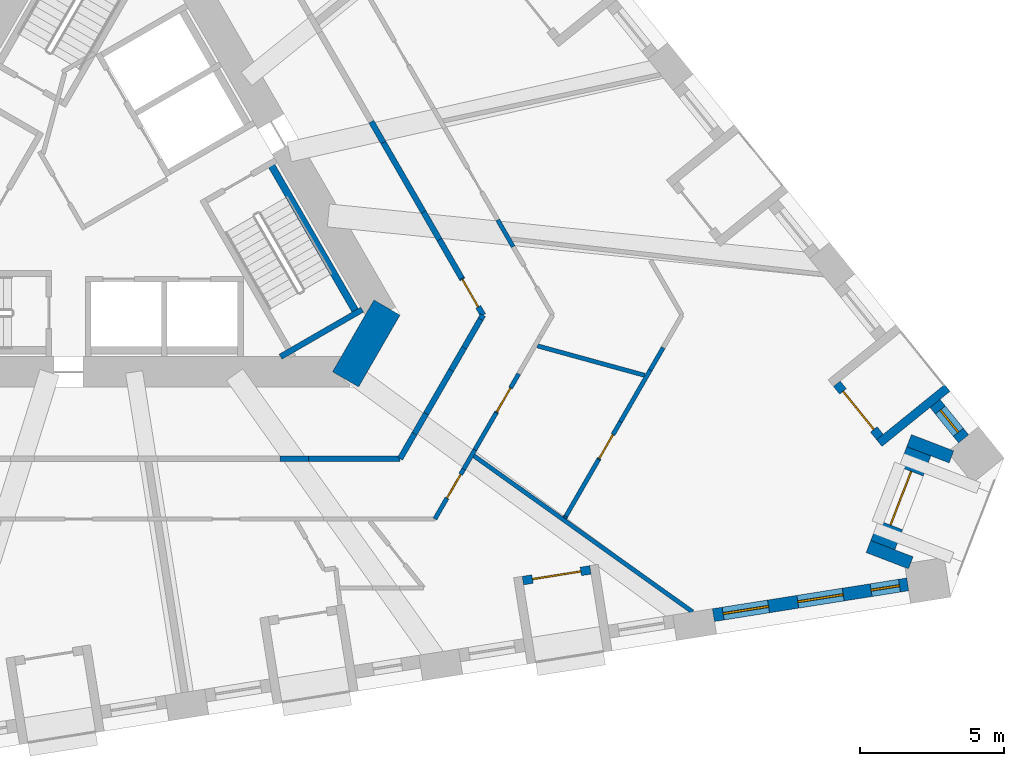
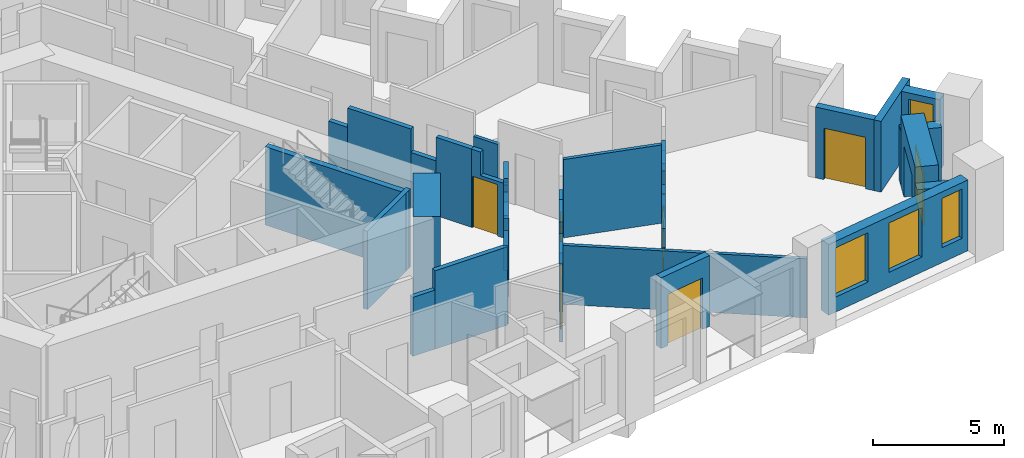
# One storey, part 6 of 13: 36 walls, 7 doors, 4 windows, 11 openings.
"""IFC4 building model written with IfcOpenShell, lengths in metres."""

from ifc_helpers import new_model, si_unit, direction, frame, frame_2d, origin, place, context, subcontext, project, spatial, polyline, rectangle, outline, extrude, material, layer, layer_set, type_object, element, fill, save


model = new_model("IFC4")

# Units and contexts
model_context = context("Model", 3, precision=1e-05, world=origin(), true_north=direction((0.0, 1.0)))
body_context = subcontext(model_context, "Body", "Model", "MODEL_VIEW")
ifc_project = project(units=[si_unit("LENGTHUNIT", "METRE"), si_unit("AREAUNIT", "SQUARE_METRE"), si_unit("VOLUMEUNIT", "CUBIC_METRE"), si_unit("PLANEANGLEUNIT", "RADIAN"), si_unit("MASSUNIT", "GRAM", prefix="KILO")], contexts=[model_context])

# Site, building, storey
site_placement = place(None, origin())
site = spatial("IfcSite", under=ifc_project, at=site_placement, CompositionType="ELEMENT")
building_placement = place(site_placement, origin())
building = spatial("IfcBuilding", under=site, at=building_placement, Name="Tramontana Tower", CompositionType="ELEMENT")
storey_placement = place(building_placement, frame((0.0, 0.0, 51.199951171875)))
storey = spatial("IfcBuildingStorey", under=building, at=storey_placement, Name="L10", CompositionType="ELEMENT", Elevation=51.199951171875)

# Walls
ifc_material_1 = material(Name="Concrete 70 MPa", Category="concrete")
ifc_layer_1 = layer(ifc_material_1, 1.050048828125)
ifc_layer_set_1 = layer_set([ifc_layer_1], Name="Core wall 1050 70 MPa")
wall_type_1 = type_object("IfcWallType", Name="Core wall 1050 70 MPa", PredefinedType="SHEAR", material=ifc_layer_set_1)
wall_1_placement = place(storey_placement, frame((8.349853515625, -6.487548828125, 0.0), z_axis=(0.0, 0.0, 1.0), x_axis=(0.499995765644, 0.866027848477, 0.0)))
element("IfcWall", 1, at=wall_1_placement, inside=storey, type_object=wall_type_1, Name="Core wall C4 L10", PredefinedType="SHEAR", context=body_context, shape_type="SweptSolid", body=[
    extrude(rectangle(XDim=2.88671875, YDim=1.050048828125, at=frame_2d((1.443359375, 0.0))), origin(), (0.0, 0.0, 1.0), 4.0),
])
ifc_material_2 = material(Name="Blockwork", Category="masonry")
ifc_layer_2 = layer(ifc_material_2, 0.199951171875)
ifc_layer_set_2 = layer_set([ifc_layer_2], Name="ENTRY WALL 200")
wall_type_2 = type_object("IfcWallType", Name="ENTRY WALL 200", PredefinedType="SOLIDWALL", material=ifc_layer_set_2)
wall_2_placement = place(storey_placement, frame((9.248046875, 2.48193359375, 0.0), z_axis=(0.0, 0.0, 1.0), x_axis=(0.500117447933, -0.865957584569, 0.0)))
element("IfcWall", 2, at=wall_2_placement, inside=storey, type_object=wall_type_2, Name="Wall v10-ew0-5", PredefinedType="SOLIDWALL", context=body_context, shape_type="SweptSolid", body=[
    extrude(rectangle(XDim=0.838134765625, YDim=0.199951171875, at=frame_2d((0.4189453125, 0.0))), origin(), (0.0, 0.0, 1.0), 2.75),
])
wall_3_placement = place(storey_placement, frame((9.667236328125, 1.756103515625, 0.0), z_axis=(0.0, 0.0, 1.0), x_axis=(0.499964529649, -0.866045881633, 0.0)))
element("IfcWall", 3, at=wall_3_placement, inside=storey, type_object=wall_type_2, Name="Wall v10-ew0-6", PredefinedType="SOLIDWALL", context=body_context, shape_type="SweptSolid", body=[
    extrude(rectangle(XDim=2.793701171875, YDim=0.199951171875, at=frame_2d((1.39697265625, 0.0))), origin(), (0.0, 0.0, 1.0), 3.650146484375),
])
wall_4_placement = place(storey_placement, frame((11.06396484375, -0.663330078125, 0.0), z_axis=(0.0, 0.0, 1.0), x_axis=(0.499951133605, -0.866053614973, 0.0)))
element("IfcWall", 4, at=wall_4_placement, inside=storey, type_object=wall_type_2, Name="Wall v10-ew0-7", PredefinedType="SOLIDWALL", context=body_context, shape_type="SweptSolid", body=[
    extrude(rectangle(XDim=1.10888671875, YDim=0.199951171875, at=frame_2d((0.554443359375, 0.0))), origin(), (0.0, 0.0, 1.0), 2.550048828125),
])
wall_5_placement = place(storey_placement, frame((11.618408203125, -1.623779296875, 0.0), z_axis=(0.0, 0.0, 1.0), x_axis=(0.50011257031, -0.86596040153, 0.0)))
element("IfcWall", 5, at=wall_5_placement, inside=storey, type_object=wall_type_2, Name="Wall v10-ew0-8", PredefinedType="SOLIDWALL", context=body_context, shape_type="SweptSolid", body=[
    extrude(rectangle(XDim=1.552978515625, YDim=0.199951171875, at=frame_2d((0.7763671875, 0.0))), origin(), (0.0, 0.0, 1.0), 3.650146484375),
])

# Wall, opening, door
wall_6_placement = place(storey_placement, frame((12.39501953125, -2.968505859375, 0.0), z_axis=(0.0, 0.0, 1.0), x_axis=(0.499936694431, -0.866061950187, 0.0)))
wall_6 = element("IfcWall", 6, at=wall_6_placement, inside=storey, type_object=wall_type_2, Name="Wall v10-ew0-9", PredefinedType="SOLIDWALL", context=body_context, shape_type="SweptSolid", body=[
    extrude(outline(polyline([(0.0, 0.0), (1.479736328125, 0.0), (1.4794921875, 2.550048828125), (0.4091796875, 2.550048828125), (0.4091796875, 3.650146484375), (0.0, 3.650146484375), (0.0, 0.0)])), frame((0.0, 0.10009765625, 0.0), z_axis=(0.0, -1.0, 0.0), x_axis=(1.0, 0.0, 0.0)), (0.0, 0.0, 1.0), 0.199951171875),
])
opening_1_placement = place(wall_6_placement, frame((0.050048828125, 0.0, 0.0)))
opening_1 = element("IfcOpeningElement", 7, at=opening_1_placement, cuts=wall_6, Name="Opening B1A-30", PredefinedType="OPENING", context=body_context, shape_type="SweptSolid", body=[
    extrude(rectangle(XDim=1.10009765625, YDim=2.39990234375, at=frame_2d((0.550048828125, 1.199951171875))), frame((0.0, 0.10986328125, 0.0), z_axis=(0.0, -1.0, 0.0), x_axis=(1.0, 0.0, 0.0)), (0.0, 0.0, 1.0), 0.219970703125),
])
ifc_material_3 = material(Name="Painted timber", Category="wood")
door_type_1 = type_object("IfcDoorType", Name="DOOR ENTRY 1100", OperationType="SINGLE_SWING_LEFT", PredefinedType="DOOR", material=ifc_material_3)
door_1_placement = place(opening_1_placement, origin())
door_1 = element("IfcDoor", 8, at=door_1_placement, inside=storey, type_object=door_type_1, Name="Door B1A-30", OperationType="SINGLE_SWING_RIGHT", OverallHeight=2.39990234375, OverallWidth=1.10009765625, PredefinedType="DOOR", context=body_context, shape_type="SweptSolid", body=[
    extrude(rectangle(XDim=1.10009765625, YDim=2.39990234375, at=frame_2d((0.550048828125, 1.199951171875))), frame((0.0, 0.02490234375, 0.0), z_axis=(0.0, -1.0, 0.0), x_axis=(1.0, 0.0, 0.0)), (0.0, 0.0, 1.0), 0.050048828125),
])
fill(opening_1, door_1)

# Walls
wall_7_placement = place(storey_placement, frame((13.134765625, -4.25, 0.0), z_axis=(0.0, 0.0, 1.0), x_axis=(-0.500586455622, -0.865686548612, 0.0)))
element("IfcWall", 9, at=wall_7_placement, inside=storey, type_object=wall_type_2, Name="Wall v10-ew1-0", PredefinedType="SOLIDWALL", context=body_context, shape_type="SweptSolid", body=[
    extrude(rectangle(XDim=0.171142578125, YDim=0.199951171875, at=frame_2d((0.08544921875, 0.0))), origin(), (0.0, 0.0, 1.0), 2.550048828125),
])
wall_8_placement = place(storey_placement, frame((13.049072265625, -4.398193359375, 0.0), z_axis=(0.0, 0.0, 1.0), x_axis=(-0.499889102667, -0.866089420923, 0.0)))
element("IfcWall", 10, at=wall_8_placement, inside=storey, type_object=wall_type_2, Name="Wall v10-ew1-1", PredefinedType="SOLIDWALL", context=body_context, shape_type="SweptSolid", body=[
    extrude(rectangle(XDim=1.141357421875, YDim=0.199951171875, at=frame_2d((0.57080078125, 0.0))), origin(), (0.0, 0.0, 1.0), 3.650146484375),
])
wall_9_placement = place(storey_placement, frame((12.478515625, -5.38671875, 0.0), z_axis=(0.0, 0.0, 1.0), x_axis=(-0.500151474942, -0.865937932021, 0.0)))
element("IfcWall", 11, at=wall_9_placement, inside=storey, type_object=wall_type_2, Name="Wall v10-ew1-2", PredefinedType="SOLIDWALL", context=body_context, shape_type="SweptSolid", body=[
    extrude(rectangle(XDim=0.903076171875, YDim=0.199951171875, at=frame_2d((0.45166015625, 0.0))), origin(), (0.0, 0.0, 1.0), 2.550048828125),
])
wall_10_placement = place(storey_placement, frame((12.02685546875, -6.168701171875, 0.0), z_axis=(0.0, 0.0, 1.0), x_axis=(-0.499900037626, -0.866083109396, 0.0)))
element("IfcWall", 12, at=wall_10_placement, inside=storey, type_object=wall_type_2, Name="Wall v10-ew1-3", PredefinedType="SOLIDWALL", context=body_context, shape_type="SweptSolid", body=[
    extrude(rectangle(XDim=1.745361328125, YDim=0.199951171875, at=frame_2d((0.87255859375, 0.0))), origin(), (0.0, 0.0, 1.0), 3.650146484375),
])
wall_11_placement = place(storey_placement, frame((11.154296875, -7.680419921875, 0.0), z_axis=(0.0, 0.0, 1.0), x_axis=(-0.500151261923, -0.865938055058, 0.0)))
element("IfcWall", 13, at=wall_11_placement, inside=storey, type_object=wall_type_2, Name="Wall v10-ew1-4", PredefinedType="SOLIDWALL", context=body_context, shape_type="SweptSolid", body=[
    extrude(rectangle(XDim=0.804931640625, YDim=0.199951171875, at=frame_2d((0.40234375, 0.0))), origin(), (0.0, 0.0, 1.0), 2.75),
])
wall_12_placement = place(storey_placement, frame((10.751708984375, -8.37744140625, 0.0), z_axis=(0.0, 0.0, 1.0), x_axis=(-0.499918237861, -0.866072604031, 0.0)))
element("IfcWall", 14, at=wall_12_placement, inside=storey, type_object=wall_type_2, Name="Wall v10-ew1-5", PredefinedType="SOLIDWALL", context=body_context, shape_type="SweptSolid", body=[
    extrude(rectangle(XDim=1.007568359375, YDim=0.199951171875, at=frame_2d((0.50390625, 0.0))), origin(), (0.0, 0.0, 1.0), 3.650146484375),
])
wall_13_placement = place(storey_placement, frame((10.248046875, -9.25, 0.0), z_axis=(0.0, 0.0, 1.0), x_axis=(-1.0, 0.0, 0.0)))
element("IfcWall", 15, at=wall_13_placement, inside=storey, type_object=wall_type_2, Name="Wall v10-ew2-0", PredefinedType="SOLIDWALL", context=body_context, shape_type="SweptSolid", body=[
    extrude(rectangle(XDim=3.190673828125, YDim=0.199951171875, at=frame_2d((1.59521484375, 0.0))), origin(), (0.0, 0.0, 1.0), 3.650146484375),
])
wall_14_placement = place(storey_placement, frame((7.057373046875, -9.25, 0.0), z_axis=(0.0, 0.0, 1.0), x_axis=(-1.0, 0.0, 0.0)))
element("IfcWall", 16, at=wall_14_placement, inside=storey, type_object=wall_type_2, Name="Wall v10-ew2-1", PredefinedType="SOLIDWALL", context=body_context, shape_type="SweptSolid", body=[
    extrude(rectangle(XDim=0.981201171875, YDim=0.199951171875, at=frame_2d((0.49072265625, 0.0))), origin(), (0.0, 0.0, 1.0), 2.75),
])

# Wall, openings, windows
ifc_material_4 = material(Name="Precast concrete 60 MPa", Category="concrete")
ifc_layer_3 = layer(ifc_material_4, 0.449951171875)
ifc_layer_set_3 = layer_set([ifc_layer_3], Name="Precast concrete 60 MPa, 450 mm")
wall_type_3 = type_object("IfcWallType", Name="EW1 Stone-faced precast wall 450", PredefinedType="SOLIDWALL", material=ifc_layer_set_3)
wall_15_placement = place(storey_placement, frame((21.1572265625, -14.6962890625, 0.0), z_axis=(0.0, 0.0, 1.0), x_axis=(0.987685675151, 0.156451293065, 0.0)))
wall_15 = element("IfcWall", 17, at=wall_15_placement, inside=storey, type_object=wall_type_3, Name="External wall L10 face 1 bay 6", PredefinedType="SOLIDWALL", context=body_context, shape_type="SweptSolid", body=[
    extrude(rectangle(XDim=6.848876953125, YDim=0.449951171875, at=frame_2d((3.42431640625, 0.0))), origin(), (0.0, 0.0, 1.0), 3.300048828125),
])
opening_2_placement = place(wall_15_placement, frame((0.341552734375, 0.0, 0.699951171875)))
opening_2 = element("IfcOpeningElement", 18, at=opening_2_placement, cuts=wall_15, Name="Opening M1", PredefinedType="OPENING", context=body_context, shape_type="SweptSolid", body=[
    extrude(rectangle(XDim=1.60009765625, YDim=2.300048828125, at=frame_2d((0.800048828125, 1.14990234375))), frame((0.0, 0.23486328125, 0.0), z_axis=(0.0, -1.0, 0.0), x_axis=(1.0, 0.0, 0.0)), (0.0, 0.0, 1.0), 0.469970703125),
])
opening_3_placement = place(wall_15_placement, frame((2.974365234375, 0.0, 0.699951171875)))
opening_3 = element("IfcOpeningElement", 19, at=opening_3_placement, cuts=wall_15, Name="Opening M1", PredefinedType="OPENING", context=body_context, shape_type="SweptSolid", body=[
    extrude(rectangle(XDim=1.60009765625, YDim=2.300048828125, at=frame_2d((0.800048828125, 1.14990234375))), frame((0.0, 0.23486328125, 0.0), z_axis=(0.0, -1.0, 0.0), x_axis=(1.0, 0.0, 0.0)), (0.0, 0.0, 1.0), 0.469970703125),
])
opening_4_placement = place(wall_15_placement, frame((5.557373046875, 0.0, 0.699951171875)))
opening_4 = element("IfcOpeningElement", 20, at=opening_4_placement, cuts=wall_15, Name="Opening N1", PredefinedType="OPENING", context=body_context, shape_type="SweptSolid", body=[
    extrude(rectangle(XDim=1.0, YDim=2.300048828125, at=frame_2d((0.5, 1.14990234375))), frame((0.0, 0.23486328125, 0.0), z_axis=(0.0, -1.0, 0.0), x_axis=(1.0, 0.0, 0.0)), (0.0, 0.0, 1.0), 0.469970703125),
])
ifc_material_5 = material(Name="Aluminum frame, double glazing unit", Category="aluminium")
window_type_1 = type_object("IfcWindowType", Name="M1 Window 1.6 x 2.3", PartitioningType="SINGLE_PANEL", PredefinedType="WINDOW", material=ifc_material_5)
window_1_placement = place(opening_2_placement, origin())
window_1 = element("IfcWindow", 21, at=window_1_placement, inside=storey, type_object=window_type_1, Name="Window M1 L10 face 1 module 16", OverallHeight=2.300048828125, OverallWidth=1.60009765625, PartitioningType="SINGLE_PANEL", PredefinedType="WINDOW", context=body_context, shape_type="SweptSolid", body=[
    extrude(rectangle(XDim=1.60009765625, YDim=2.300048828125, at=frame_2d((0.800048828125, 1.14990234375))), frame((0.0, 0.030029296875, 0.0), z_axis=(0.0, -1.0, 0.0), x_axis=(1.0, 0.0, 0.0)), (0.0, 0.0, 1.0), 0.06005859375),
])
fill(opening_2, window_1)
window_2_placement = place(opening_3_placement, origin())
window_2 = element("IfcWindow", 22, at=window_2_placement, inside=storey, type_object=window_type_1, Name="Window M1 L10 face 1 module 17", OverallHeight=2.300048828125, OverallWidth=1.60009765625, PartitioningType="SINGLE_PANEL", PredefinedType="WINDOW", context=body_context, shape_type="SweptSolid", body=[
    extrude(rectangle(XDim=1.60009765625, YDim=2.300048828125, at=frame_2d((0.800048828125, 1.14990234375))), frame((0.0, 0.030029296875, 0.0), z_axis=(0.0, -1.0, 0.0), x_axis=(1.0, 0.0, 0.0)), (0.0, 0.0, 1.0), 0.06005859375),
])
fill(opening_3, window_2)
ifc_material_6 = material(Name="Aluminum frame, double glazing unit", Category="aluminium")
window_type_2 = type_object("IfcWindowType", Name="N1 Window 1 x 2.3", PartitioningType="SINGLE_PANEL", PredefinedType="WINDOW", material=ifc_material_6)
window_3_placement = place(opening_4_placement, origin())
window_3 = element("IfcWindow", 23, at=window_3_placement, inside=storey, type_object=window_type_2, Name="Window N1 L10 face 1 module 18", OverallHeight=2.300048828125, OverallWidth=1.0, PartitioningType="SINGLE_PANEL", PredefinedType="WINDOW", context=body_context, shape_type="SweptSolid", body=[
    extrude(rectangle(XDim=1.0, YDim=2.300048828125, at=frame_2d((0.5, 1.14990234375))), frame((0.0, 0.030029296875, 0.0), z_axis=(0.0, -1.0, 0.0), x_axis=(1.0, 0.0, 0.0)), (0.0, 0.0, 1.0), 0.06005859375),
])
fill(opening_4, window_3)

# Wall, opening, window
wall_16_placement = place(storey_placement, frame((29.86669921875, -8.558349609375, 0.0), z_axis=(0.0, 0.0, 1.0), x_axis=(-0.629273652342, 0.77718380739, 0.0)))
wall_16 = element("IfcWall", 24, at=wall_16_placement, inside=storey, type_object=wall_type_3, Name="External wall L10 face 2 bay 1", PredefinedType="SOLIDWALL", context=body_context, shape_type="SweptSolid", body=[
    extrude(rectangle(XDim=1.5830078125, YDim=0.449951171875, at=frame_2d((0.79150390625, 0.0))), origin(), (0.0, 0.0, 1.0), 3.300048828125),
])
opening_5_placement = place(wall_16_placement, frame((0.29150390625, 0.0, 0.699951171875)))
opening_5 = element("IfcOpeningElement", 25, at=opening_5_placement, cuts=wall_16, Name="Opening N1", PredefinedType="OPENING", context=body_context, shape_type="SweptSolid", body=[
    extrude(rectangle(XDim=1.0, YDim=2.300048828125, at=frame_2d((0.5, 1.14990234375))), frame((0.0, 0.23486328125, 0.0), z_axis=(0.0, -1.0, 0.0), x_axis=(1.0, 0.0, 0.0)), (0.0, 0.0, 1.0), 0.469970703125),
])
window_4_placement = place(opening_5_placement, origin())
window_4 = element("IfcWindow", 26, at=window_4_placement, inside=storey, type_object=window_type_2, Name="Window N1 L10 face 2 module 1", OverallHeight=2.300048828125, OverallWidth=1.0, PartitioningType="SINGLE_PANEL", PredefinedType="WINDOW", context=body_context, shape_type="SweptSolid", body=[
    extrude(rectangle(XDim=1.0, YDim=2.300048828125, at=frame_2d((0.5, 1.14990234375))), frame((0.0, 0.030029296875, 0.0), z_axis=(0.0, -1.0, 0.0), x_axis=(1.0, 0.0, 0.0)), (0.0, 0.0, 1.0), 0.06005859375),
])
fill(opening_5, window_4)

# Walls
for number, where, z_axis, x_axis, name in (
    (27, (29.442626953125, -9.1865234375, 0.0), (0.0, 0.0, 1.0), (-0.93358843832, 0.358347077335, 0.0), "Corner loggia side wall L10 K12l"),
    (28, (28.027099609375, -12.8740234375, 0.0), (0.0, 0.0, 1.0), (-0.93358843832, 0.358347077335, 0.0), "Corner loggia side wall L10 K12r"),
):
    element("IfcWall", number, at=place(storey_placement, frame(where, z_axis=z_axis, x_axis=x_axis)), inside=storey, type_object=wall_type_3, Name=name, PredefinedType="SOLIDWALL", context=body_context, shape_type="SweptSolid", body=[
        extrude(rectangle(XDim=1.579345703125, YDim=0.449951171875, at=frame_2d((0.78955078125, 0.0))), origin(), (0.0, 0.0, 1.0), 2.550048828125),
    ])

# Wall, opening, door
ifc_material_7 = material(Name="Precast concrete 60 MPa", Category="concrete")
ifc_layer_4 = layer(ifc_material_7, 0.89990234375)
ifc_layer_set_4 = layer_set([ifc_layer_4], Name="EW2 Stone-faced corner loggia wall 900")
wall_type_4 = type_object("IfcWallType", Name="EW2 Stone-faced corner loggia wall 900", PredefinedType="SOLIDWALL", material=ifc_layer_set_4)
wall_17_placement = place(storey_placement, frame((28.307861328125, -8.991943359375, 0.0), z_axis=(0.0, 0.0, 1.0), x_axis=(-0.35841340332, -0.933562977158, 0.0)))
wall_17 = element("IfcWall", 29, at=wall_17_placement, inside=storey, type_object=wall_type_4, Name="Corner loggia wall L10 K12", PredefinedType="SOLIDWALL", context=body_context, shape_type="SweptSolid", body=[
    extrude(rectangle(XDim=3.499755859375, YDim=0.89990234375, at=frame_2d((1.75, 0.0))), origin(), (0.0, 0.0, 1.0), 3.300048828125),
])
opening_6_placement = place(wall_17_placement, frame((0.75, 0.0, 0.0)))
opening_6 = element("IfcOpeningElement", 30, at=opening_6_placement, cuts=wall_17, Name="Opening BD-12C", PredefinedType="OPENING", context=body_context, shape_type="SweptSolid", body=[
    extrude(rectangle(XDim=2.0, YDim=2.39990234375, at=frame_2d((1.0, 1.199951171875))), frame((0.0, 0.4599609375, 0.0), z_axis=(0.0, -1.0, 0.0), x_axis=(1.0, 0.0, 0.0)), (0.0, 0.0, 1.0), 0.919921875),
])
ifc_material_8 = material(Name="Aluminum frame, double glazing unit", Category="aluminium")
door_type_2 = type_object("IfcDoorType", Name="BC1 Sliding door 2 x 2.4", OperationType="SLIDING_TO_LEFT", PredefinedType="DOOR", material=ifc_material_8)
door_2_placement = place(opening_6_placement, origin())
door_2 = element("IfcDoor", 31, at=door_2_placement, inside=storey, type_object=door_type_2, Name="Corner loggia door L10 K12", OperationType="SLIDING_TO_LEFT", OverallHeight=2.39990234375, OverallWidth=2.0, PredefinedType="DOOR", context=body_context, shape_type="SweptSolid", body=[
    extrude(rectangle(XDim=2.0, YDim=2.39990234375, at=frame_2d((1.0, 1.199951171875))), frame((0.0, 0.02490234375, 0.0), z_axis=(0.0, -1.0, 0.0), x_axis=(1.0, 0.0, 0.0)), (0.0, 0.0, 1.0), 0.050048828125),
])
fill(opening_6, door_2)

ifc_material_9 = material(Name="Precast concrete 60 MPa", Category="concrete")
ifc_layer_5 = layer(ifc_material_9, 0.300048828125)
ifc_layer_set_5 = layer_set([ifc_layer_5], Name="LW1 Stone-faced loggia wall 300")
wall_type_5 = type_object("IfcWallType", Name="LW1 Stone-faced loggia wall 300", PredefinedType="SOLIDWALL", material=ifc_layer_set_5)
wall_18_placement = place(storey_placement, frame((14.521728515625, -13.494384765625, 0.0), z_axis=(0.0, 0.0, 1.0), x_axis=(0.987685586014, 0.156451855793, 0.0)))
wall_18 = element("IfcWall", 32, at=wall_18_placement, inside=storey, type_object=wall_type_5, Name="Loggia wall L10 G1S1.13", PredefinedType="SOLIDWALL", context=body_context, shape_type="SweptSolid", body=[
    extrude(rectangle(XDim=2.3828125, YDim=0.300048828125, at=frame_2d((1.19140625, 0.0))), origin(), (0.0, 0.0, 1.0), 3.300048828125),
])
opening_7_placement = place(wall_18_placement, frame((0.341552734375, 0.0, 0.0)))
opening_7 = element("IfcOpeningElement", 33, at=opening_7_placement, cuts=wall_18, Name="Opening BD-1S1-13", PredefinedType="OPENING", context=body_context, shape_type="SweptSolid", body=[
    extrude(rectangle(XDim=1.699951171875, YDim=2.39990234375, at=frame_2d((0.85009765625, 1.199951171875))), frame((0.0, 0.159912109375, 0.0), z_axis=(0.0, -1.0, 0.0), x_axis=(1.0, 0.0, 0.0)), (0.0, 0.0, 1.0), 0.320068359375),
])
ifc_material_10 = material(Name="Aluminum frame, double glazing unit", Category="aluminium")
door_type_3 = type_object("IfcDoorType", Name="BD1 Sliding door 1.7 x 2.4", OperationType="SLIDING_TO_LEFT", PredefinedType="DOOR", material=ifc_material_10)
door_3_placement = place(opening_7_placement, origin())
door_3 = element("IfcDoor", 34, at=door_3_placement, inside=storey, type_object=door_type_3, Name="Loggia door L10 G1S1.13", OperationType="SLIDING_TO_LEFT", OverallHeight=2.39990234375, OverallWidth=1.699951171875, PredefinedType="DOOR", context=body_context, shape_type="SweptSolid", body=[
    extrude(rectangle(XDim=1.699951171875, YDim=2.39990234375, at=frame_2d((0.85009765625, 1.199951171875))), frame((0.0, 0.02490234375, 0.0), z_axis=(0.0, -1.0, 0.0), x_axis=(1.0, 0.0, 0.0)), (0.0, 0.0, 1.0), 0.050048828125),
])
fill(opening_7, door_3)

wall_19_placement = place(storey_placement, frame((26.95263671875, -8.4951171875, 0.0), z_axis=(0.0, 0.0, 1.0), x_axis=(-0.62930727886, 0.777156579316, 0.0)))
wall_19 = element("IfcWall", 35, at=wall_19_placement, inside=storey, type_object=wall_type_5, Name="Loggia wall L10 G1S2.1", PredefinedType="SOLIDWALL", context=body_context, shape_type="SweptSolid", body=[
    extrude(rectangle(XDim=2.3828125, YDim=0.300048828125, at=frame_2d((1.19140625, 0.0))), origin(), (0.0, 0.0, 1.0), 3.300048828125),
])
opening_8_placement = place(wall_19_placement, frame((0.341552734375, 0.0, 0.0)))
opening_8 = element("IfcOpeningElement", 36, at=opening_8_placement, cuts=wall_19, Name="Opening BD-1S2-01", PredefinedType="OPENING", context=body_context, shape_type="SweptSolid", body=[
    extrude(rectangle(XDim=1.699951171875, YDim=2.39990234375, at=frame_2d((0.85009765625, 1.199951171875))), frame((0.0, 0.159912109375, 0.0), z_axis=(0.0, -1.0, 0.0), x_axis=(1.0, 0.0, 0.0)), (0.0, 0.0, 1.0), 0.320068359375),
])
door_4_placement = place(opening_8_placement, origin())
door_4 = element("IfcDoor", 37, at=door_4_placement, inside=storey, type_object=door_type_3, Name="Loggia door L10 G1S2.1", OperationType="SLIDING_TO_LEFT", OverallHeight=2.39990234375, OverallWidth=1.699951171875, PredefinedType="DOOR", context=body_context, shape_type="SweptSolid", body=[
    extrude(rectangle(XDim=1.699951171875, YDim=2.39990234375, at=frame_2d((0.85009765625, 1.199951171875))), frame((0.0, 0.02490234375, 0.0), z_axis=(0.0, -1.0, 0.0), x_axis=(1.0, 0.0, 0.0)), (0.0, 0.0, 1.0), 0.050048828125),
])
fill(opening_8, door_4)

# Walls
wall_20_placement = place(storey_placement, frame((29.30078125, -6.78662109375, 0.0), z_axis=(0.0, 0.0, 1.0), x_axis=(-0.777153523895, -0.629311052102, 0.0)))
element("IfcWall", 38, at=wall_20_placement, inside=storey, type_object=wall_type_5, Name="Loggia return L10 G1S2.1a", PredefinedType="SOLIDWALL", context=body_context, shape_type="SweptSolid", body=[
    extrude(rectangle(XDim=3.050048828125, YDim=0.300048828125, at=frame_2d((1.52490234375, 0.0))), origin(), (0.0, 0.0, 1.0), 3.300048828125),
])
ifc_material_11 = material(Name="Gypsum board partition")
ifc_layer_6 = layer(ifc_material_11, 0.14990234375)
ifc_layer_set_6 = layer_set([ifc_layer_6], Name="PARTITION 150")
wall_type_6 = type_object("IfcWallType", Name="PARTITION 150", PredefinedType="PARTITIONING", material=ifc_layer_set_6)
wall_21_placement = place(storey_placement, frame((13.646484375, -0.936279296875, 0.0), z_axis=(0.0, 0.0, 1.0), x_axis=(0.499938053331, -0.866061165757, 0.0)))
element("IfcWall", 39, at=wall_21_placement, inside=storey, type_object=wall_type_6, Name="Wall v10-pw23-7", PredefinedType="PARTITIONING", context=body_context, shape_type="SweptSolid", body=[
    extrude(rectangle(XDim=1.078369140625, YDim=0.14990234375, at=frame_2d((0.5390625, 0.0))), origin(), (0.0, 0.0, 1.0), 2.550048828125),
])
wall_22_placement = place(storey_placement, frame((15.02783203125, -5.32177734375, 0.0), z_axis=(0.0, 0.0, 1.0), x_axis=(0.964256110782, -0.26497198497, 0.0)))
element("IfcWall", 40, at=wall_22_placement, inside=storey, type_object=wall_type_6, Name="Wall v10-pw39", PredefinedType="PARTITIONING", context=body_context, shape_type="SweptSolid", body=[
    extrude(rectangle(XDim=3.875244140625, YDim=0.14990234375, at=frame_2d((1.9375, 0.0))), origin(), (0.0, 0.0, 1.0), 3.650146484375),
])

# Wall, opening, door
wall_23_placement = place(storey_placement, frame((14.378173828125, -6.296142578125, 0.0), z_axis=(0.0, 0.0, 1.0), x_axis=(-0.499946456463, -0.866056314953, 0.0)))
wall_23 = element("IfcWall", 41, at=wall_23_placement, inside=storey, type_object=wall_type_6, Name="Wall v10-pw40-2", PredefinedType="PARTITIONING", context=body_context, shape_type="SweptSolid", body=[
    extrude(outline(polyline([(0.0, 0.0), (1.572509765625, 0.0), (1.572265625, 3.650146484375), (0.8779296875, 3.650146484375), (0.8779296875, 2.550048828125), (0.0, 2.550048828125), (0.0, 0.0)])), frame((0.0, 0.074951171875, 0.0), z_axis=(0.0, -1.0, 0.0), x_axis=(1.0, 0.0, 0.0)), (0.0, 0.0, 1.0), 0.14990234375),
])
opening_9_placement = place(wall_23_placement, frame((0.572265625, 0.0, 0.0)))
opening_9 = element("IfcOpeningElement", 42, at=opening_9_placement, cuts=wall_23, Name="Opening B1A-19", PredefinedType="OPENING", context=body_context, shape_type="SweptSolid", body=[
    extrude(rectangle(XDim=0.949951171875, YDim=2.39990234375, at=frame_2d((0.47509765625, 1.199951171875))), frame((0.0, 0.0849609375, 0.0), z_axis=(0.0, -1.0, 0.0), x_axis=(1.0, 0.0, 0.0)), (0.0, 0.0, 1.0), 0.169921875),
])
ifc_material_12 = material(Name="Painted timber", Category="wood")
door_type_4 = type_object("IfcDoorType", Name="DOOR ROOM 950", OperationType="SINGLE_SWING_LEFT", PredefinedType="DOOR", material=ifc_material_12)
door_5_placement = place(opening_9_placement, origin())
door_5 = element("IfcDoor", 43, at=door_5_placement, inside=storey, type_object=door_type_4, Name="Door B1A-19", OperationType="SINGLE_SWING_LEFT", OverallHeight=2.39990234375, OverallWidth=0.949951171875, PredefinedType="DOOR", context=body_context, shape_type="SweptSolid", body=[
    extrude(rectangle(XDim=0.949951171875, YDim=2.39990234375, at=frame_2d((0.47509765625, 1.199951171875))), frame((0.0, 0.02490234375, 0.0), z_axis=(0.0, -1.0, 0.0), x_axis=(1.0, 0.0, 0.0)), (0.0, 0.0, 1.0), 0.050048828125),
])
fill(opening_9, door_5)

# Walls
wall_24_placement = place(storey_placement, frame((13.592041015625, -7.657958984375, 0.0), z_axis=(0.0, 0.0, 1.0), x_axis=(-0.49996987118, -0.866042797968, 0.0)))
element("IfcWall", 44, at=wall_24_placement, inside=storey, type_object=wall_type_6, Name="Wall v10-pw40-3", PredefinedType="PARTITIONING", context=body_context, shape_type="SweptSolid", body=[
    extrude(rectangle(XDim=1.48046875, YDim=0.14990234375, at=frame_2d((0.740234375, 0.0))), origin(), (0.0, 0.0, 1.0), 3.650146484375),
])
wall_25_placement = place(storey_placement, frame((12.851806640625, -8.940185546875, 0.0), z_axis=(0.0, 0.0, 1.0), x_axis=(-0.500011542666, -0.866018739521, 0.0)))
element("IfcWall", 45, at=wall_25_placement, inside=storey, type_object=wall_type_6, Name="Wall v10-pw40-4", PredefinedType="PARTITIONING", context=body_context, shape_type="SweptSolid", body=[
    extrude(rectangle(XDim=0.77978515625, YDim=0.14990234375, at=frame_2d((0.389892578125, 0.0))), origin(), (0.0, 0.0, 1.0), 2.75),
])

# Wall, opening, door
wall_26_placement = place(storey_placement, frame((12.4619140625, -9.615478515625, 0.0), z_axis=(0.0, 0.0, 1.0), x_axis=(-0.499993265928, -0.866029291668, 0.0)))
wall_26 = element("IfcWall", 46, at=wall_26_placement, inside=storey, type_object=wall_type_6, Name="Wall v10-pw40-5", PredefinedType="PARTITIONING", context=body_context, shape_type="SweptSolid", body=[
    extrude(rectangle(XDim=2.0029296875, YDim=0.14990234375, at=frame_2d((1.00146484375, 0.0))), origin(), (0.0, 0.0, 1.0), 3.650146484375),
])
opening_10_placement = place(wall_26_placement, frame((0.210693359375, 0.0, 0.0)))
opening_10 = element("IfcOpeningElement", 47, at=opening_10_placement, cuts=wall_26, Name="Opening B1A-21", PredefinedType="OPENING", context=body_context, shape_type="SweptSolid", body=[
    extrude(rectangle(XDim=0.949951171875, YDim=2.39990234375, at=frame_2d((0.47509765625, 1.199951171875))), frame((0.0, 0.0849609375, 0.0), z_axis=(0.0, -1.0, 0.0), x_axis=(1.0, 0.0, 0.0)), (0.0, 0.0, 1.0), 0.169921875),
])
door_6_placement = place(opening_10_placement, origin())
door_6 = element("IfcDoor", 48, at=door_6_placement, inside=storey, type_object=door_type_4, Name="Door B1A-21", OperationType="SINGLE_SWING_LEFT", OverallHeight=2.39990234375, OverallWidth=0.949951171875, PredefinedType="DOOR", context=body_context, shape_type="SweptSolid", body=[
    extrude(rectangle(XDim=0.949951171875, YDim=2.39990234375, at=frame_2d((0.47509765625, 1.199951171875))), frame((0.0, 0.02490234375, 0.0), z_axis=(0.0, -1.0, 0.0), x_axis=(1.0, 0.0, 0.0)), (0.0, 0.0, 1.0), 0.050048828125),
])
fill(opening_10, door_6)

# Walls
wall_27_placement = place(storey_placement, frame((19.4072265625, -5.385498046875, 0.0), z_axis=(0.0, 0.0, 1.0), x_axis=(-0.499965372359, -0.866045395139, 0.0)))
element("IfcWall", 49, at=wall_27_placement, inside=storey, type_object=wall_type_6, Name="Wall v10-pw42-1", PredefinedType="PARTITIONING", context=body_context, shape_type="SweptSolid", body=[
    extrude(rectangle(XDim=0.89892578125, YDim=0.14990234375, at=frame_2d((0.449462890625, 0.0))), origin(), (0.0, 0.0, 1.0), 2.550048828125),
])
wall_28_placement = place(storey_placement, frame((18.957763671875, -6.1640625, 0.0), z_axis=(0.0, 0.0, 1.0), x_axis=(-0.499939227269, -0.866060488094, 0.0)))
element("IfcWall", 50, at=wall_28_placement, inside=storey, type_object=wall_type_6, Name="Wall v10-pw42-2", PredefinedType="PARTITIONING", context=body_context, shape_type="SweptSolid", body=[
    extrude(rectangle(XDim=2.079833984375, YDim=0.14990234375, at=frame_2d((1.0400390625, 0.0))), origin(), (0.0, 0.0, 1.0), 3.650146484375),
])

# Wall, opening, door
wall_29_placement = place(storey_placement, frame((17.91796875, -7.96533203125, 0.0), z_axis=(0.0, 0.0, 1.0), x_axis=(-0.500047204294, -0.865998148658, 0.0)))
wall_29 = element("IfcWall", 51, at=wall_29_placement, inside=storey, type_object=wall_type_6, Name="Wall v10-pw42-3", PredefinedType="PARTITIONING", context=body_context, shape_type="SweptSolid", body=[
    extrude(outline(polyline([(0.0, 0.0), (1.518310546875, 0.0), (1.518310546875, 3.650146484375), (0.8779296875, 3.650146484375), (0.8779296875, 2.550048828125), (0.0, 2.550048828125), (0.0, 0.0)])), frame((0.0, 0.074951171875, 0.0), z_axis=(0.0, -1.0, 0.0), x_axis=(1.0, 0.0, 0.0)), (0.0, 0.0, 1.0), 0.14990234375),
])
opening_11_placement = place(wall_29_placement, frame((0.518310546875, 0.0, 0.0)))
opening_11 = element("IfcOpeningElement", 52, at=opening_11_placement, cuts=wall_29, Name="Opening B1A-27", PredefinedType="OPENING", context=body_context, shape_type="SweptSolid", body=[
    extrude(rectangle(XDim=0.949951171875, YDim=2.39990234375, at=frame_2d((0.47509765625, 1.199951171875))), frame((0.0, 0.0849609375, 0.0), z_axis=(0.0, -1.0, 0.0), x_axis=(1.0, 0.0, 0.0)), (0.0, 0.0, 1.0), 0.169921875),
])
door_7_placement = place(opening_11_placement, origin())
door_7 = element("IfcDoor", 53, at=door_7_placement, inside=storey, type_object=door_type_4, Name="Door B1A-27", OperationType="SINGLE_SWING_LEFT", OverallHeight=2.39990234375, OverallWidth=0.949951171875, PredefinedType="DOOR", context=body_context, shape_type="SweptSolid", body=[
    extrude(rectangle(XDim=0.949951171875, YDim=2.39990234375, at=frame_2d((0.47509765625, 1.199951171875))), frame((0.0, 0.02490234375, 0.0), z_axis=(0.0, -1.0, 0.0), x_axis=(1.0, 0.0, 0.0)), (0.0, 0.0, 1.0), 0.050048828125),
])
fill(opening_11, door_7)

# Walls
wall_30_placement = place(storey_placement, frame((17.15869140625, -9.2802734375, 0.0), z_axis=(0.0, 0.0, 1.0), x_axis=(-0.499987504325, -0.866032618045, 0.0)))
element("IfcWall", 54, at=wall_30_placement, inside=storey, type_object=wall_type_6, Name="Wall v10-pw42-4", PredefinedType="PARTITIONING", context=body_context, shape_type="SweptSolid", body=[
    extrude(rectangle(XDim=2.28564453125, YDim=0.14990234375, at=frame_2d((1.142822265625, 0.0))), origin(), (0.0, 0.0, 1.0), 3.650146484375),
])
wall_31_placement = place(storey_placement, frame((16.015869140625, -11.259765625, 0.0), z_axis=(0.0, 0.0, 1.0), x_axis=(-0.498541023162, -0.866866107438, 0.0)))
element("IfcWall", 55, at=wall_31_placement, inside=storey, type_object=wall_type_6, Name="Wall v10-pw42-5", PredefinedType="PARTITIONING", context=body_context, shape_type="SweptSolid", body=[
    extrude(rectangle(XDim=0.065673828125, YDim=0.14990234375, at=frame_2d((0.03271484375, 0.0))), origin(), (0.0, 0.0, 1.0), 2.75),
])
wall_32_placement = place(storey_placement, frame((20.4306640625, -14.58349609375, 0.0), z_axis=(0.0, 0.0, 1.0), x_axis=(-0.813913318796, 0.580986324699, 0.0)))
element("IfcWall", 56, at=wall_32_placement, inside=storey, type_object=wall_type_6, Name="Wall v10-pw43-0", PredefinedType="PARTITIONING", context=body_context, shape_type="SweptSolid", body=[
    extrude(rectangle(XDim=9.353515625, YDim=0.14990234375, at=frame_2d((4.6767578125, 0.0))), origin(), (0.0, 0.0, 1.0), 2.75),
])
ifc_material_13 = material(Name="Concrete 70 MPa", Category="concrete")
ifc_layer_7 = layer(ifc_material_13, 0.25)
ifc_layer_set_7 = layer_set([ifc_layer_7], Name="Concrete 70 MPa, 250 mm")
wall_type_7 = type_object("IfcWallType", Name="RC SHAFT BACK WALL 250", PredefinedType="SOLIDWALL", material=ifc_layer_set_7)
wall_33_placement = place(storey_placement, frame((8.781494140625, -4.260009765625, 0.0), z_axis=(0.0, 0.0, 1.0), x_axis=(-0.500009909098, 0.866019682689, 0.0)))
element("IfcWall", 57, at=wall_33_placement, inside=storey, type_object=wall_type_7, Name="Wall st3-back", PredefinedType="SOLIDWALL", context=body_context, shape_type="SweptSolid", body=[
    extrude(rectangle(XDim=6.199951171875, YDim=0.25, at=frame_2d((3.10009765625, 0.0))), origin(), (0.0, 0.0, 1.0), 3.650146484375),
])
ifc_material_14 = material(Name="Concrete 70 MPa", Category="concrete")
ifc_layer_8 = layer(ifc_material_14, 0.199951171875)
ifc_layer_set_8 = layer_set([ifc_layer_8], Name="Concrete 70 MPa, 200 mm")
wall_type_8 = type_object("IfcWallType", Name="RC STAIR AND SHAFT WALL 200", PredefinedType="SOLIDWALL", material=ifc_layer_set_8)
wall_34_placement = place(storey_placement, frame((6.08740234375, -5.699951171875, 0.0), z_axis=(0.0, 0.0, 1.0), x_axis=(0.866006986733, 0.500031897912, 0.0)))
element("IfcWall", 58, at=wall_34_placement, inside=storey, type_object=wall_type_8, Name="Wall st3-far", PredefinedType="SOLIDWALL", context=body_context, shape_type="SweptSolid", body=[
    extrude(rectangle(XDim=3.278076171875, YDim=0.199951171875, at=frame_2d((1.63916015625, 0.0))), origin(), (0.0, 0.0, 1.0), 3.650146484375),
])

save(model, "model.ifc")
